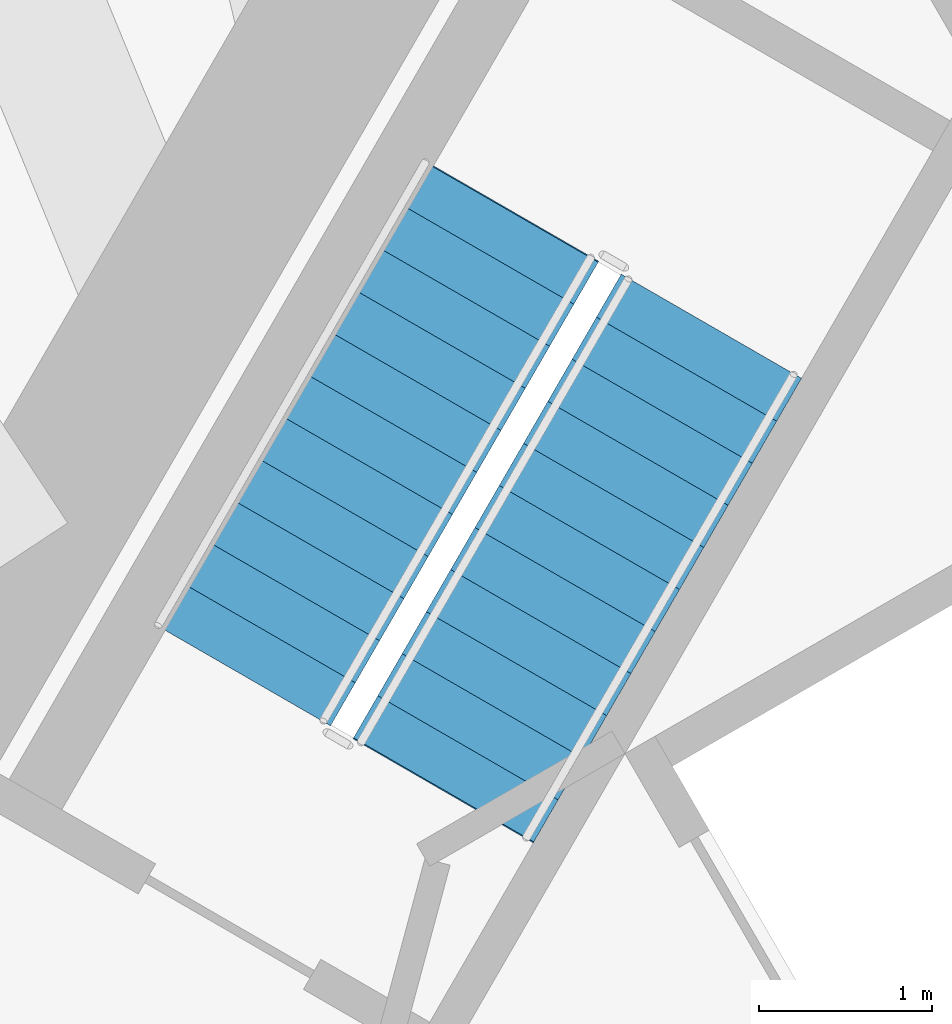
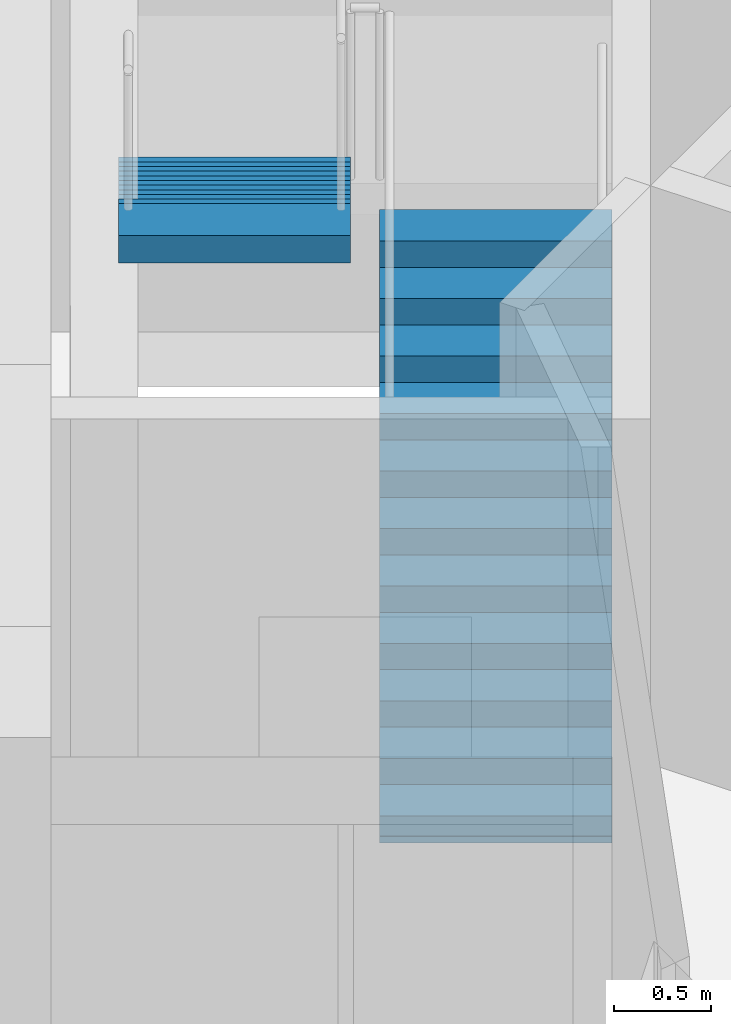
# One storey, part 10 of 13: 2 stair flights, 1 element without a shape of its own.
"""IFC4 building model written with IfcOpenShell, lengths in metres."""

from ifc_helpers import new_model, si_unit, direction, frame, origin, place, context, subcontext, project, spatial, polyline, outline, extrude, material, layer, layer_set, type_object, element, aggregate, save


model = new_model("IFC4")

# Units and contexts
model_context = context("Model", 3, precision=1e-05, world=origin(), true_north=direction((0.0, 1.0)))
body_context = subcontext(model_context, "Body", "Model", "MODEL_VIEW")
ifc_project = project(units=[si_unit("LENGTHUNIT", "METRE"), si_unit("AREAUNIT", "SQUARE_METRE"), si_unit("VOLUMEUNIT", "CUBIC_METRE"), si_unit("PLANEANGLEUNIT", "RADIAN"), si_unit("MASSUNIT", "GRAM", prefix="KILO")], contexts=[model_context])

# Site, building, storey
site_placement = place(None, origin())
site = spatial("IfcSite", under=ifc_project, at=site_placement, CompositionType="ELEMENT")
building_placement = place(site_placement, origin())
building = spatial("IfcBuilding", under=site, at=building_placement, Name="Tramontana Tower", CompositionType="ELEMENT")
storey_placement = place(building_placement, frame((0.0, 0.0, 116.39990234375)))
storey = spatial("IfcBuildingStorey", under=building, at=storey_placement, Name="L26", CompositionType="ELEMENT", Elevation=116.39990234375)

# Stair, stair flights
ifc_material_1 = material(Name="Concrete 40 MPa", Category="concrete")
stair_type = type_object("IfcStairType", Name="EXIT STAIR 24 RISERS", PredefinedType="HALF_TURN_STAIR", material=ifc_material_1)
stair_placement = place(storey_placement, origin())
stair = element("IfcStair", 1, at=stair_placement, inside=storey, type_object=stair_type, Name="L26 Exit stair ST1", PredefinedType="HALF_TURN_STAIR")
ifc_material_2 = material(Name="Concrete 40 MPa", Category="concrete")
ifc_layer = layer(ifc_material_2, 0.14990234375)
ifc_layer_set = layer_set([ifc_layer], Name="EXIT STAIR FLIGHT")
stair_flight_type = type_object("IfcStairFlightType", Name="EXIT STAIR FLIGHT", PredefinedType="STRAIGHT", material=ifc_layer_set)
stair_flight_1_placement = place(storey_placement, frame((-1.39111328125, 4.590576171875, 0.0), z_axis=(0.0, 0.0, 1.0), x_axis=(0.5, 0.866025403784, 0.0)))
stair_flight_1 = element("IfcStairFlight", 2, at=stair_flight_1_placement, type_object=stair_flight_type, Name="ST1 flight 1", NumberOfRisers=12, NumberOfTreads=11, PredefinedType="STRAIGHT", RiserHeight=0.166666667, TreadLength=0.28, context=body_context, shape_type="SweptSolid", body=[
    extrude(outline(polyline([(-0.006103515625, 0.0), (-0.006103515625, 0.0400390625), (0.0, 0.0400390625), (0.0, 0.166748046875), (0.280029296875, 0.166748046875), (0.280029296875, 0.333251953125), (0.56005859375, 0.333251953125), (0.56005859375, 0.5), (0.840087890625, 0.5), (0.840087890625, 0.666748046875), (1.1201171875, 0.666748046875), (1.1201171875, 0.833251953125), (1.39990234375, 0.833251953125), (1.39990234375, 1.0), (1.679931640625, 1.0), (1.679931640625, 1.166748046875), (1.9599609375, 1.166748046875), (1.9599609375, 1.333251953125), (2.239990234375, 1.333251953125), (2.239990234375, 1.5), (2.52001953125, 1.5), (2.52001953125, 1.666748046875), (2.800048828125, 1.666748046875), (2.800048828125, 1.833251953125), (3.080078125, 1.833251953125), (3.0859375, 1.833251953125), (3.0859375, 1.658935546875), (0.299072265625, 0.0), (-0.006103515625, 0.0)])), frame((0.0, 0.60009765625, 0.0), z_axis=(0.0, -1.0, 0.0), x_axis=(1.0, 0.0, 0.0)), (0.0, 0.0, 1.0), 1.199951171875),
])
stair_flight_2_placement = place(storey_placement, frame((-1.020263671875, 7.932861328125, 2.0), z_axis=(0.0, 0.0, 1.0), x_axis=(-0.5, -0.866025403784, 0.0)))
stair_flight_2 = element("IfcStairFlight", 3, at=stair_flight_2_placement, type_object=stair_flight_type, Name="ST1 flight 2", NumberOfRisers=12, NumberOfTreads=11, PredefinedType="STRAIGHT", RiserHeight=0.166666667, TreadLength=0.28, context=body_context, shape_type="SweptSolid", body=[
    extrude(outline(polyline([(-0.006103515625, 0.0), (-0.006103515625, 0.0400390625), (0.0, 0.0400390625), (0.0, 0.166748046875), (0.280029296875, 0.166748046875), (0.280029296875, 0.333251953125), (0.56005859375, 0.333251953125), (0.56005859375, 0.5), (0.840087890625, 0.5), (0.840087890625, 0.666748046875), (1.1201171875, 0.666748046875), (1.1201171875, 0.833251953125), (1.39990234375, 0.833251953125), (1.39990234375, 1.0), (1.679931640625, 1.0), (1.679931640625, 1.166748046875), (1.9599609375, 1.166748046875), (1.9599609375, 1.333251953125), (2.239990234375, 1.333251953125), (2.239990234375, 1.5), (2.52001953125, 1.5), (2.52001953125, 1.666748046875), (2.800048828125, 1.666748046875), (2.800048828125, 1.833251953125), (3.080078125, 1.833251953125), (3.0859375, 1.833251953125), (3.0859375, 1.658935546875), (0.299072265625, 0.0), (-0.006103515625, 0.0)])), frame((0.0, 0.60009765625, 0.0), z_axis=(0.0, -1.0, 0.0), x_axis=(1.0, 0.0, 0.0)), (0.0, 0.0, 1.0), 1.199951171875),
])
aggregate(stair, [stair_flight_1, stair_flight_2])

save(model, "model.ifc")
